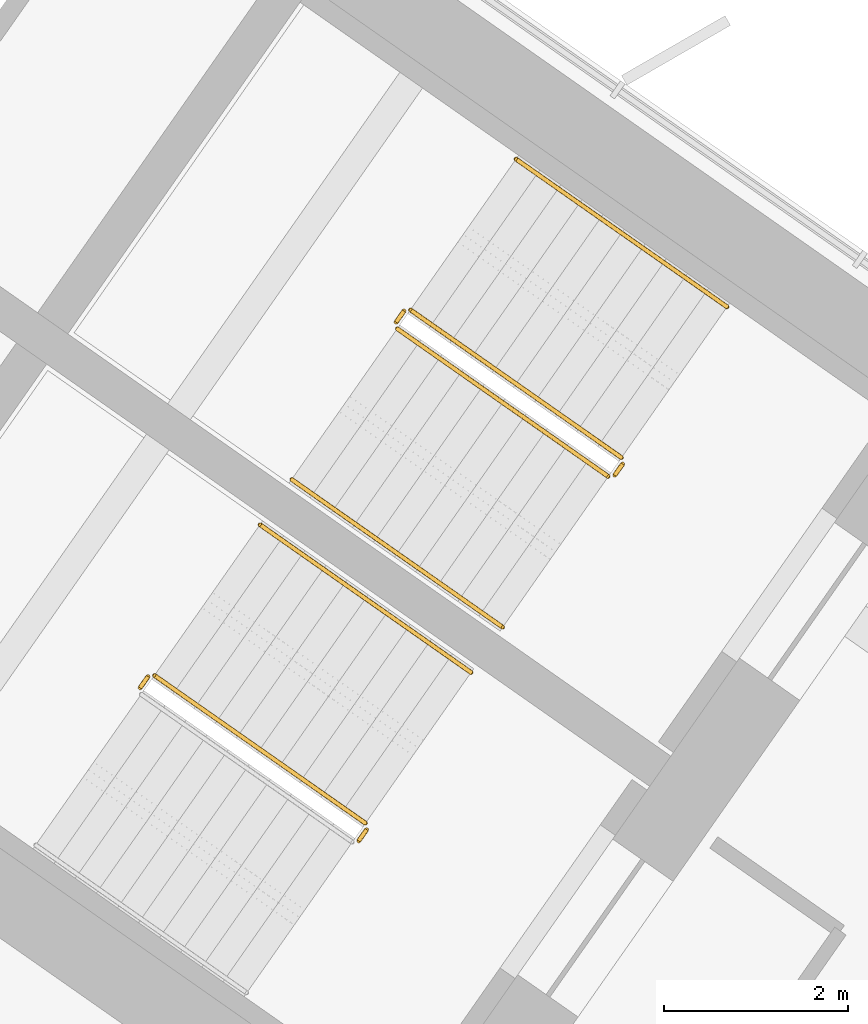
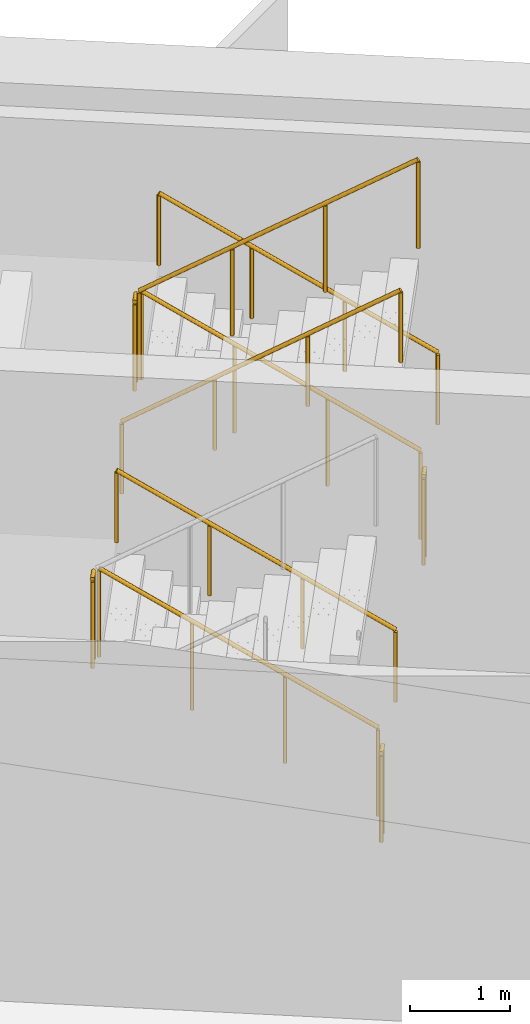
# One storey, part 20 of 22: 10 railings.
"""IFC4 building model written with IfcOpenShell, lengths in metres."""

from ifc_helpers import new_model, si_unit, direction, frame, origin, origin_2d, place, context, subcontext, project, spatial, circle, extrude, material, type_object, element, save


model = new_model("IFC4")

# Units and contexts
model_context = context("Model", 3, precision=1e-05, world=origin(), true_north=direction((0.0, 1.0)))
body_context = subcontext(model_context, "Body", "Model", "MODEL_VIEW")
ifc_project = project(units=[si_unit("LENGTHUNIT", "METRE"), si_unit("AREAUNIT", "SQUARE_METRE"), si_unit("VOLUMEUNIT", "CUBIC_METRE"), si_unit("PLANEANGLEUNIT", "RADIAN"), si_unit("MASSUNIT", "GRAM", prefix="KILO")], contexts=[model_context])

# Site, building, storey
site_placement = place(None, origin())
site = spatial("IfcSite", under=ifc_project, at=site_placement, CompositionType="ELEMENT")
building_placement = place(site_placement, origin())
building = spatial("IfcBuilding", under=site, at=building_placement, Name="Tel Ilan Convention Tower", CompositionType="ELEMENT")
storey_placement = place(building_placement, frame((0.0, 0.0, 143.699951171875)))
storey = spatial("IfcBuildingStorey", under=building, at=storey_placement, Name="L32", CompositionType="ELEMENT", Elevation=143.699951171875)

# Railings
ifc_material_1 = material(Name="Stainless Steel Grade 316", Category="steel")
railing_type_1 = type_object("IfcRailingType", Name="Stainless Steel Stair Guard 1100 mm", PredefinedType="GUARDRAIL", material=ifc_material_1)
railing_1_placement = place(storey_placement, frame((23.6787109375, -7.8515625, 0.17724609375)))
element("IfcRailing", 1, at=railing_1_placement, inside=storey, type_object=railing_type_1, Name="L32 S3 stair guard 1", PredefinedType="GUARDRAIL", context=body_context, shape_type="SweptSolid", body=[
    extrude(circle(Radius=0.02392578125, at=origin_2d()), frame((0.0, 0.0, 1.076171875), z_axis=(-0.692084706163, 0.484621375041, 0.534940073605), x_axis=(-0.573591086599, -0.819141785879, 0.0)), (0.0, 0.0, 1.0), 3.313720703125),
    extrude(circle(Radius=0.02099609375, at=origin_2d()), origin(), (0.0, 0.0, 1.0), 1.052001953125),
    extrude(circle(Radius=0.02099609375, at=origin_2d()), frame((-0.764404296875, 0.535400390625, 0.5908203125)), (0.0, 0.0, 1.0), 1.052001953125),
    extrude(circle(Radius=0.02099609375, at=origin_2d()), frame((-1.529052734375, 1.070556640625, 1.181884765625)), (0.0, 0.0, 1.0), 1.052001953125),
    extrude(circle(Radius=0.02099609375, at=origin_2d()), frame((-2.29345703125, 1.60595703125, 1.772705078125)), (0.0, 0.0, 1.0), 1.052001953125),
])
railing_2_placement = place(storey_placement, frame((21.3154296875, -6.2578125, 1.949951171875)))
element("IfcRailing", 2, at=railing_2_placement, inside=storey, type_object=railing_type_1, Name="L32 S3 stair guard 2", PredefinedType="GUARDRAIL", context=body_context, shape_type="SweptSolid", body=[
    extrude(circle(Radius=0.02392578125, at=origin_2d()), frame((0.0, 0.0, 1.076171875), z_axis=(-0.573353020881, -0.819308436089, 0.0), x_axis=(0.819308436089, -0.573353020881, 0.0)), (0.0, 0.0, 1.0), 0.14990234375),
    extrude(circle(Radius=0.02099609375, at=origin_2d()), origin(), (0.0, 0.0, 1.0), 1.052001953125),
    extrude(circle(Radius=0.02099609375, at=origin_2d()), frame((-0.0859375, -0.122802734375, 0.0)), (0.0, 0.0, 1.0), 1.052001953125),
])
railing_3_placement = place(storey_placement, frame((21.24169921875, -6.4501953125, 2.12744140625)))
element("IfcRailing", 3, at=railing_3_placement, inside=storey, type_object=railing_type_1, Name="L32 S3 stair guard 3", PredefinedType="GUARDRAIL", context=body_context, shape_type="SweptSolid", body=[
    extrude(circle(Radius=0.02392578125, at=origin_2d()), frame((0.0, 0.0, 1.076171875), z_axis=(0.692098378994, -0.484653031975, 0.534893701956), x_axis=(0.573608623498, 0.819129505664, 0.0)), (0.0, 0.0, 1.0), 3.314208984375),
    extrude(circle(Radius=0.02099609375, at=origin_2d()), origin(), (0.0, 0.0, 1.0), 1.052001953125),
    extrude(circle(Radius=0.02099609375, at=origin_2d()), frame((0.7646484375, -0.535400390625, 0.5908203125)), (0.0, 0.0, 1.0), 1.052001953125),
    extrude(circle(Radius=0.02099609375, at=origin_2d()), frame((1.529052734375, -1.07080078125, 1.181884765625)), (0.0, 0.0, 1.0), 1.052001953125),
    extrude(circle(Radius=0.02099609375, at=origin_2d()), frame((2.293701171875, -1.606201171875, 1.772705078125)), (0.0, 0.0, 1.0), 1.052001953125),
])
railing_4_placement = place(storey_placement, frame((23.691162109375, -7.921142578125, 0.0)))
element("IfcRailing", 4, at=railing_4_placement, inside=storey, type_object=railing_type_1, Name="L32 S3 stair guard 4", PredefinedType="GUARDRAIL", context=body_context, shape_type="SweptSolid", body=[
    extrude(circle(Radius=0.02392578125, at=origin_2d()), frame((0.0, 0.0, 1.076171875), z_axis=(-0.574444878118, -0.818543268254, 0.0), x_axis=(0.818543268254, -0.574444878118, 0.0)), (0.0, 0.0, 1.0), 0.150146484375),
    extrude(circle(Radius=0.02099609375, at=origin_2d()), origin(), (0.0, 0.0, 1.0), 1.052001953125),
    extrude(circle(Radius=0.02099609375, at=origin_2d()), frame((-0.086181640625, -0.122802734375, 0.0)), (0.0, 0.0, 1.0), 1.052001953125),
])
railing_5_placement = place(storey_placement, frame((20.89697265625, -11.824462890625, 0.17724609375)))
element("IfcRailing", 5, at=railing_5_placement, inside=storey, type_object=railing_type_1, Name="L32 S4 stair guard 1", PredefinedType="GUARDRAIL", context=body_context, shape_type="SweptSolid", body=[
    extrude(circle(Radius=0.02392578125, at=origin_2d()), frame((0.0, 0.0, 1.076171875), z_axis=(-0.692123088272, 0.484596665743, 0.534912798717), x_axis=(-0.573550118428, -0.819170471667, 0.0)), (0.0, 0.0, 1.0), 3.31396484375),
    extrude(circle(Radius=0.02099609375, at=origin_2d()), origin(), (0.0, 0.0, 1.0), 1.052001953125),
    extrude(circle(Radius=0.02099609375, at=origin_2d()), frame((-0.7646484375, 0.535400390625, 0.5908203125)), (0.0, 0.0, 1.0), 1.052001953125),
    extrude(circle(Radius=0.02099609375, at=origin_2d()), frame((-1.529052734375, 1.070556640625, 1.181884765625)), (0.0, 0.0, 1.0), 1.052001953125),
    extrude(circle(Radius=0.02099609375, at=origin_2d()), frame((-2.293701171875, 1.60595703125, 1.772705078125)), (0.0, 0.0, 1.0), 1.052001953125),
])
for number, where, name in (
    (6, (18.53369140625, -10.230712890625, 1.949951171875), "L32 S4 stair guard 2"),
    (7, (20.9091796875, -11.89404296875, 0.0), "L32 S4 stair guard 4"),
):
    element("IfcRailing", number, at=place(storey_placement, frame(where)), inside=storey, type_object=railing_type_1, Name=name, PredefinedType="GUARDRAIL", context=body_context, shape_type="SweptSolid", body=[
        extrude(circle(Radius=0.02392578125, at=origin_2d()), frame((0.0, 0.0, 1.076171875), z_axis=(-0.573353020881, -0.819308436089, 0.0), x_axis=(0.819308436089, -0.573353020881, 0.0)), (0.0, 0.0, 1.0), 0.14990234375),
        extrude(circle(Radius=0.02099609375, at=origin_2d()), origin(), (0.0, 0.0, 1.0), 1.052001953125),
        extrude(circle(Radius=0.02099609375, at=origin_2d()), frame((-0.0859375, -0.122802734375, 0.0)), (0.0, 0.0, 1.0), 1.052001953125),
    ])
ifc_material_2 = material(Name="Stainless Steel Grade 316", Category="steel")
railing_type_2 = type_object("IfcRailingType", Name="Stainless Steel Stair Handrail 900 mm", PredefinedType="HANDRAIL", material=ifc_material_2)
railing_6_placement = place(storey_placement, frame((24.825927734375, -6.213134765625, 0.17724609375)))
element("IfcRailing", 8, at=railing_6_placement, inside=storey, type_object=railing_type_2, Name="L32 S3 stair handrail 1", PredefinedType="HANDRAIL", context=body_context, shape_type="SweptSolid", body=[
    extrude(circle(Radius=0.02392578125, at=origin_2d()), frame((0.0, 0.0, 0.8759765625), z_axis=(-0.692123088272, 0.484596665743, 0.534912798717), x_axis=(-0.573550118428, -0.819170471667, 0.0)), (0.0, 0.0, 1.0), 3.31396484375),
    extrude(circle(Radius=0.02099609375, at=origin_2d()), origin(), (0.0, 0.0, 1.0), 0.851806640625),
    extrude(circle(Radius=0.02099609375, at=origin_2d()), frame((-0.7646484375, 0.535400390625, 0.5908203125)), (0.0, 0.0, 1.0), 0.851806640625),
    extrude(circle(Radius=0.02099609375, at=origin_2d()), frame((-1.529052734375, 1.070556640625, 1.181884765625)), (0.0, 0.0, 1.0), 0.851806640625),
    extrude(circle(Radius=0.02099609375, at=origin_2d()), frame((-2.293701171875, 1.60595703125, 1.772705078125)), (0.0, 0.0, 1.0), 0.851806640625),
])
railing_7_placement = place(storey_placement, frame((20.0947265625, -8.088623046875, 2.12744140625)))
element("IfcRailing", 9, at=railing_7_placement, inside=storey, type_object=railing_type_2, Name="L32 S3 stair handrail 2", PredefinedType="HANDRAIL", context=body_context, shape_type="SweptSolid", body=[
    extrude(circle(Radius=0.02392578125, at=origin_2d()), frame((0.0, 0.0, 0.8759765625), z_axis=(0.692084706163, -0.484621375041, 0.534940073605), x_axis=(0.573591086599, 0.819141785879, 0.0)), (0.0, 0.0, 1.0), 3.313720703125),
    extrude(circle(Radius=0.02099609375, at=origin_2d()), origin(), (0.0, 0.0, 1.0), 0.851806640625),
    extrude(circle(Radius=0.02099609375, at=origin_2d()), frame((0.764404296875, -0.535400390625, 0.5908203125)), (0.0, 0.0, 1.0), 0.851806640625),
    extrude(circle(Radius=0.02099609375, at=origin_2d()), frame((1.529052734375, -1.070556640625, 1.181884765625)), (0.0, 0.0, 1.0), 0.851806640625),
    extrude(circle(Radius=0.02099609375, at=origin_2d()), frame((2.29345703125, -1.60595703125, 1.772705078125)), (0.0, 0.0, 1.0), 0.851806640625),
])
railing_8_placement = place(storey_placement, frame((22.044189453125, -10.18603515625, 0.17724609375)))
element("IfcRailing", 10, at=railing_8_placement, inside=storey, type_object=railing_type_2, Name="L32 S4 stair handrail 1", PredefinedType="HANDRAIL", context=body_context, shape_type="SweptSolid", body=[
    extrude(circle(Radius=0.02392578125, at=origin_2d()), frame((0.0, 0.0, 0.8759765625), z_axis=(-0.692123088272, 0.484596665743, 0.534912798717), x_axis=(-0.573550118428, -0.819170471667, 0.0)), (0.0, 0.0, 1.0), 3.31396484375),
    extrude(circle(Radius=0.02099609375, at=origin_2d()), origin(), (0.0, 0.0, 1.0), 0.851806640625),
    extrude(circle(Radius=0.02099609375, at=origin_2d()), frame((-0.7646484375, 0.535400390625, 0.5908203125)), (0.0, 0.0, 1.0), 0.851806640625),
    extrude(circle(Radius=0.02099609375, at=origin_2d()), frame((-1.529052734375, 1.070556640625, 1.181884765625)), (0.0, 0.0, 1.0), 0.851806640625),
    extrude(circle(Radius=0.02099609375, at=origin_2d()), frame((-2.293701171875, 1.60595703125, 1.772705078125)), (0.0, 0.0, 1.0), 0.851806640625),
])

save(model, "model.ifc")
